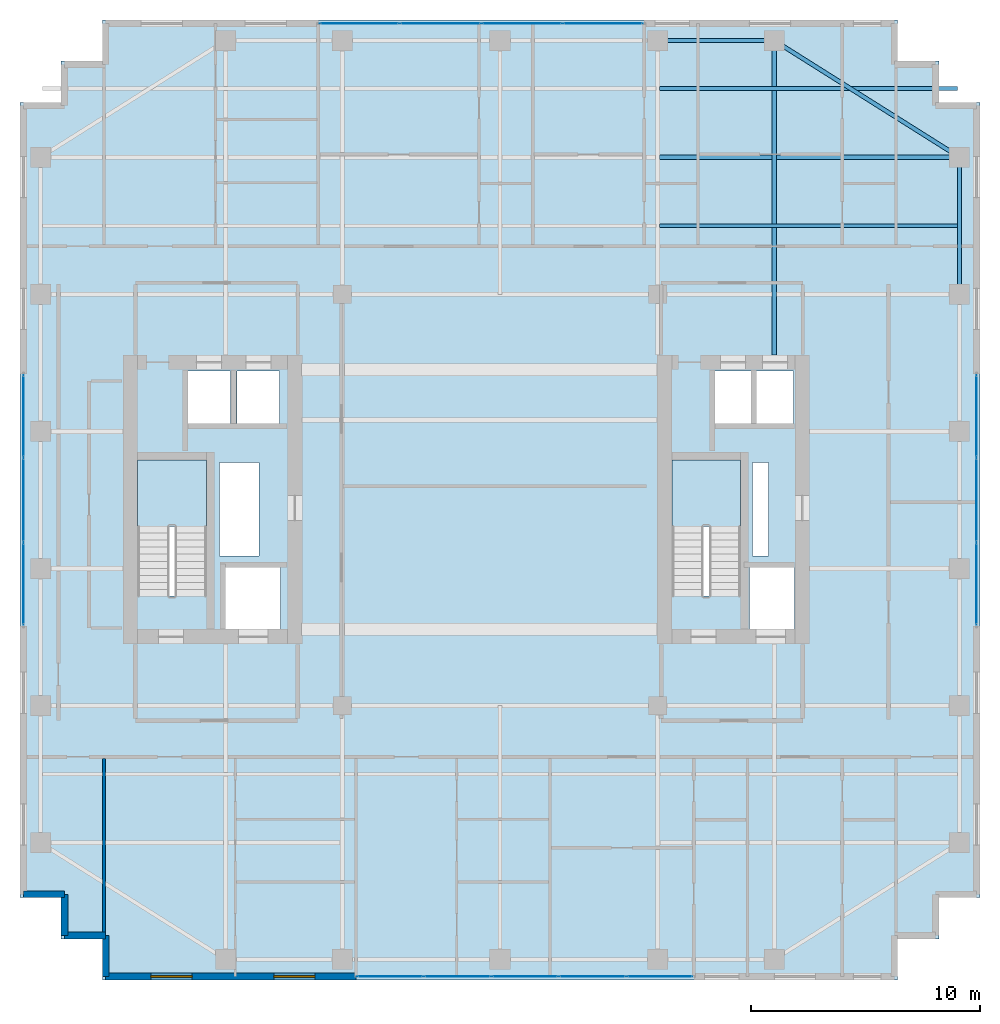
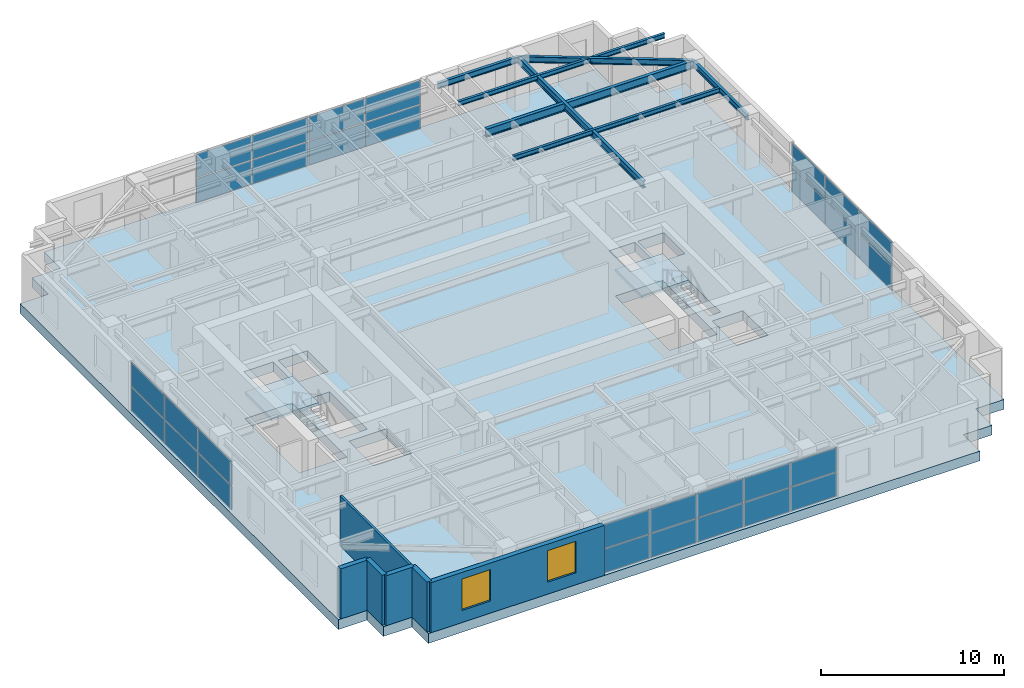
# One storey, part 18 of 24: 30 plates, 7 beams, 6 walls, 3 slabs, 2 windows, 2 openings, 6 elements without a shape of their own.
"""IFC4 building model written with IfcOpenShell, lengths in metres."""

from ifc_helpers import new_model, si_unit, direction, frame, frame_2d, origin, origin_2d, place, context, subcontext, project, spatial, polyline, rectangle, i_section, outline, extrude, source, transform, mapped, material, layer, layer_set, material_profile, profile_set, type_object, element, fill, aggregate, save


model = new_model("IFC4")

# Units and contexts
model_context = context("Model", 3, precision=1e-05, world=origin(), true_north=direction((0.0, 1.0)))
body_context = subcontext(model_context, "Body", "Model", "MODEL_VIEW")
ifc_project = project(units=[si_unit("LENGTHUNIT", "METRE"), si_unit("AREAUNIT", "SQUARE_METRE"), si_unit("VOLUMEUNIT", "CUBIC_METRE"), si_unit("PLANEANGLEUNIT", "RADIAN"), si_unit("MASSUNIT", "GRAM", prefix="KILO")], contexts=[model_context])

# Site, building, storey
site_placement = place(None, origin())
site = spatial("IfcSite", under=ifc_project, at=site_placement, CompositionType="ELEMENT")
building_placement = place(site_placement, origin())
building = spatial("IfcBuilding", under=site, at=building_placement, Name="Khoralis Quay Care Tower", CompositionType="ELEMENT")
storey_placement = place(building_placement, frame((0.0, 0.0, 155.699951171875)))
storey = spatial("IfcBuildingStorey", under=building, at=storey_placement, Name="L40", CompositionType="ELEMENT", Elevation=155.699951171875)

# Beams
ifc_material_1 = material(Name="Steel S355", Category="steel")
ifc_material_profile_1 = material_profile(ifc_material_1, i_section(OverallWidth=0.179931640625, OverallDepth=0.39990234375, WebThickness=0.008544921875, FlangeThickness=0.013427734375, FilletRadius=0.02099609375, at=origin_2d()), Name="Steel S355")
ifc_profile_set_1 = profile_set([ifc_material_profile_1], Name="Steel S355")
beam_type_1 = type_object("IfcBeamType", Name="BM-IPE400", PredefinedType="SPANDREL", material=ifc_profile_set_1)
shared_shape_1 = source(origin(), body_context, "Body", "SweptSolid", [
    extrude(i_section(OverallWidth=0.179931640625, OverallDepth=0.39990234375, WebThickness=0.008544921875, FlangeThickness=0.013427734375, FilletRadius=0.02099609375, at=origin_2d()), origin(), (0.0, 0.0, 1.0), 6.0),
])
beam_1_placement = place(storey_placement, frame((44.10009765625, 30.0, 3.14013671875), z_axis=(0.0, 1.0, 0.0), x_axis=(-1.0, 0.0, 0.0)))
element("IfcBeam", 1, at=beam_1_placement, inside=storey, type_object=beam_type_1, Name="BM-TSP-L40-18", PredefinedType="SPANDREL", context=body_context, shape_type="MappedRepresentation", body=[
    mapped(shared_shape_1, transform((0.0, 0.0, 0.0), scale=1.0)),
])
shared_shape_2 = source(origin(), body_context, "Body", "SweptSolid", [
    extrude(i_section(OverallWidth=0.179931640625, OverallDepth=0.39990234375, WebThickness=0.008544921875, FlangeThickness=0.013427734375, FilletRadius=0.02099609375, at=origin_2d()), origin(), (0.0, 0.0, 1.0), 5.10009765625),
])
beam_2_placement = place(storey_placement, frame((30.89990234375, 41.10009765625, 3.14013671875), z_axis=(1.0, 0.0, 0.0), x_axis=(0.0, 1.0, 0.0)))
element("IfcBeam", 2, at=beam_2_placement, inside=storey, type_object=beam_type_1, Name="BM-TSP-L40-08", PredefinedType="SPANDREL", context=body_context, shape_type="MappedRepresentation", body=[
    mapped(shared_shape_2, transform((0.0, 0.0, 0.0), scale=1.0)),
])
shared_shape_3 = source(origin(), body_context, "Body", "SweptSolid", [
    extrude(i_section(OverallWidth=0.179931640625, OverallDepth=0.39990234375, WebThickness=0.008544921875, FlangeThickness=0.013427734375, FilletRadius=0.02099609375, at=origin_2d()), origin(), (0.0, 0.0, 1.0), 9.572021484375),
])
beam_3_placement = place(storey_placement, frame((36.0, 41.10009765625, 3.14013671875), z_axis=(0.846231136359, -0.532815975602, 0.0), x_axis=(0.532815975602, 0.846231136359, 0.0)))
element("IfcBeam", 3, at=beam_3_placement, inside=storey, type_object=beam_type_1, Name="BM-TCR-L40-22", PredefinedType="SPANDREL", context=body_context, shape_type="MappedRepresentation", body=[
    mapped(shared_shape_3, transform((0.0, 0.0, 0.0), scale=1.0)),
])
ifc_material_profile_2 = material_profile(ifc_material_1, i_section(OverallWidth=0.208984375, OverallDepth=0.532958984375, WebThickness=0.01025390625, FlangeThickness=0.015625, FilletRadius=0.01611328125, at=origin_2d()), Name="Steel S355")
ifc_profile_set_2 = profile_set([ifc_material_profile_2], Name="Steel S355")
beam_type_2 = type_object("IfcBeamType", Name="BM-W530X92", PredefinedType="BEAM", material=ifc_profile_set_2)
shared_shape_4 = source(origin(), body_context, "Body", "SweptSolid", [
    extrude(i_section(OverallWidth=0.208984375, OverallDepth=0.532958984375, WebThickness=0.01025390625, FlangeThickness=0.015625, FilletRadius=0.01611328125, at=origin_2d()), origin(), (0.0, 0.0, 1.0), 13.1162109375),
])
beam_4_placement = place(storey_placement, frame((30.98388671875, 36.0, 3.073486328125), z_axis=(1.0, 0.0, 0.0), x_axis=(0.0, 1.0, 0.0)))
element("IfcBeam", 4, at=beam_4_placement, inside=storey, type_object=beam_type_2, Name="BM-TGXE-L40-360", PredefinedType="BEAM", context=body_context, shape_type="MappedRepresentation", body=[
    mapped(shared_shape_4, transform((0.0, 0.0, 0.0), scale=1.0)),
])
ifc_material_profile_3 = material_profile(ifc_material_1, i_section(OverallWidth=0.19189453125, OverallDepth=0.462890625, WebThickness=0.010498046875, FlangeThickness=0.017578125, FilletRadius=0.014892578125, at=origin_2d()), Name="Steel S355")
ifc_profile_set_3 = profile_set([ifc_material_profile_3], Name="Steel S355")
beam_type_3 = type_object("IfcBeamType", Name="BM-W460X89", PredefinedType="BEAM", material=ifc_profile_set_3)
shared_shape_5 = source(origin(), body_context, "Body", "SweptSolid", [
    extrude(i_section(OverallWidth=0.19189453125, OverallDepth=0.462890625, WebThickness=0.010498046875, FlangeThickness=0.017578125, FilletRadius=0.014892578125, at=origin_2d()), origin(), (0.0, 0.0, 1.0), 13.752197265625),
])
beam_5_placement = place(storey_placement, frame((36.0, 27.347900390625, 3.108642578125), z_axis=(0.0, 1.0, 0.0), x_axis=(-1.0, 0.0, 0.0)))
element("IfcBeam", 5, at=beam_5_placement, inside=storey, type_object=beam_type_3, Name="BM-TGYN-L40-360", PredefinedType="BEAM", context=body_context, shape_type="MappedRepresentation", body=[
    mapped(shared_shape_5, transform((0.0, 0.0, 0.0), scale=1.0)),
])
ifc_material_profile_4 = material_profile(ifc_material_1, i_section(OverallWidth=0.1650390625, OverallDepth=0.31005859375, WebThickness=0.005859375, FlangeThickness=0.009765625, FilletRadius=0.011962890625, at=origin_2d()), Name="Steel S355")
ifc_profile_set_4 = profile_set([ifc_material_profile_4], Name="Steel S355")
beam_type_4 = type_object("IfcBeamType", Name="BM-W310X39", PredefinedType="JOIST", material=ifc_profile_set_4)
shared_shape_6 = source(origin(), body_context, "Body", "SweptSolid", [
    extrude(i_section(OverallWidth=0.1650390625, OverallDepth=0.31005859375, WebThickness=0.005859375, FlangeThickness=0.009765625, FilletRadius=0.011962890625, at=origin_2d()), origin(), (0.0, 0.0, 1.0), 13.0400390625),
])
for number, where, z_axis, x_axis, name in (
    (6, (30.98388671875, 33.0, 3.18505859375), (1.0, 0.0, 0.0), (0.0, 1.0, 0.0), "BM-TJS-L40-27"),
    (7, (30.98388671875, 39.0, 3.18505859375), (1.0, 0.0, 0.0), (0.0, 1.0, 0.0), "BM-TJS-L40-30"),
):
    element("IfcBeam", number, at=place(storey_placement, frame(where, z_axis=z_axis, x_axis=x_axis)), inside=storey, type_object=beam_type_4, Name=name, PredefinedType="JOIST", context=body_context, shape_type="MappedRepresentation", body=[
        mapped(shared_shape_6, transform((0.0, 0.0, 0.0), scale=1.0)),
    ])

# Stair, slab
ifc_material_2 = material(Name="Precast concrete C45/55", Category="concrete")
stair_type = type_object("IfcStairType", Name="ST-TWR-DOGLEG-1400", PredefinedType="HALF_TURN_STAIR", material=ifc_material_2)
stair_1_placement = place(storey_placement, origin())
stair_1 = element("IfcStair", 8, at=stair_1_placement, inside=storey, type_object=stair_type, Name="L40 West Core Exit Stair ST-T1", PredefinedType="HALF_TURN_STAIR")
ifc_layer_1 = layer(ifc_material_2, 0.199951171875)
ifc_layer_set_1 = layer_set([ifc_layer_1], Name="Precast concrete C45/55")
slab_type_1 = type_object("IfcSlabType", Name="SLB-LANDING-200", PredefinedType="LANDING", material=ifc_layer_set_1)
slab_1_placement = place(storey_placement, frame((0.0, 0.0, 1.60009765625)))
slab_1 = element("IfcSlab", 9, at=slab_1_placement, type_object=slab_type_1, Name="ST-T1 landing 1", PredefinedType="LANDING", context=body_context, shape_type="SweptSolid", body=[
    extrude(outline(polyline([(11.14990234375, 19.840087890625), (11.14990234375, 22.75), (8.14990234375, 22.75), (8.14990234375, 19.840087890625), (11.14990234375, 19.840087890625)])), origin(), (0.0, 0.0, 1.0), 0.199951171875),
])
aggregate(stair_1, [slab_1])

stair_2_placement = place(storey_placement, origin())
stair_2 = element("IfcStair", 10, at=stair_2_placement, inside=storey, type_object=stair_type, Name="L40 East Core Exit Stair ST-T2", PredefinedType="HALF_TURN_STAIR")
slab_2_placement = place(storey_placement, frame((0.0, 0.0, 1.60009765625)))
slab_2 = element("IfcSlab", 11, at=slab_2_placement, type_object=slab_type_1, Name="ST-T2 landing 1", PredefinedType="LANDING", context=body_context, shape_type="SweptSolid", body=[
    extrude(outline(polyline([(34.52001953125, 19.840087890625), (34.52001953125, 22.75), (31.52001953125, 22.75), (31.52001953125, 19.840087890625), (34.52001953125, 19.840087890625)])), origin(), (0.0, 0.0, 1.0), 0.199951171875),
])
aggregate(stair_2, [slab_2])

# Slab
ifc_material_3 = material(Name="Concrete C65/80", Category="concrete")
ifc_layer_2 = layer(ifc_material_3, 0.64990234375)
ifc_layer_set_2 = layer_set([ifc_layer_2], Name="Concrete C65/80")
slab_type_2 = type_object("IfcSlabType", Name="SLB-TRANS-650", PredefinedType="FLOOR", material=ifc_layer_set_2)
slab_3_placement = place(storey_placement, frame((0.0, 0.0, -0.64990234375)))
element("IfcSlab", 12, at=slab_3_placement, inside=storey, type_object=slab_type_2, Name="Tower Floor Slab L40", PredefinedType="FLOOR", context=body_context, shape_type="SweptSolid", body=[
    extrude(outline(polyline([(6.60009765625, 0.0), (41.39990234375, 0.0), (41.39990234375, 1.800048828125), (43.199951171875, 1.800048828125), (43.199951171875, 3.60009765625), (45.0, 3.60009765625), (45.0, 38.39990234375), (43.199951171875, 38.39990234375), (43.199951171875, 40.199951171875), (41.39990234375, 40.199951171875), (41.39990234375, 42.0), (6.60009765625, 42.0), (6.60009765625, 40.199951171875), (4.800048828125, 40.199951171875), (4.800048828125, 38.39990234375), (3.0, 38.39990234375), (3.0, 3.60009765625), (4.800048828125, 3.60009765625), (4.800048828125, 1.800048828125), (6.60009765625, 1.800048828125), (6.60009765625, 0.0)]), holes=[polyline([(11.14990234375, 16.800048828125), (11.14990234375, 22.75), (8.14990234375, 22.75), (8.14990234375, 16.800048828125), (11.14990234375, 16.800048828125)]), polyline([(34.52001953125, 16.800048828125), (34.52001953125, 22.75), (31.52001953125, 22.75), (31.52001953125, 16.800048828125), (34.52001953125, 16.800048828125)]), polyline([(12.0, 15.35009765625), (14.39990234375, 15.35009765625), (14.39990234375, 18.050048828125), (12.0, 18.050048828125), (12.0, 15.35009765625)]), polyline([(34.919921875, 15.35009765625), (36.8798828125, 15.35009765625), (36.8798828125, 18.050048828125), (34.919921875, 18.050048828125), (34.919921875, 15.35009765625)]), polyline([(10.35009765625, 24.35009765625), (12.199951171875, 24.35009765625), (12.199951171875, 26.64990234375), (10.35009765625, 26.64990234375), (10.35009765625, 24.35009765625)]), polyline([(33.3798828125, 24.35009765625), (35.030029296875, 24.35009765625), (35.030029296875, 26.64990234375), (33.3798828125, 26.64990234375), (33.3798828125, 24.35009765625)]), polyline([(12.5, 24.35009765625), (14.35009765625, 24.35009765625), (14.35009765625, 26.64990234375), (12.5, 26.64990234375), (12.5, 24.35009765625)]), polyline([(35.199951171875, 24.35009765625), (36.85009765625, 24.35009765625), (36.85009765625, 26.64990234375), (35.199951171875, 26.64990234375), (35.199951171875, 24.35009765625)]), polyline([(11.719970703125, 18.550048828125), (13.449951171875, 18.550048828125), (13.449951171875, 22.64990234375), (11.719970703125, 22.64990234375), (11.719970703125, 18.550048828125)]), polyline([(35.050048828125, 18.550048828125), (35.75, 18.550048828125), (35.75, 22.64990234375), (35.050048828125, 22.64990234375), (35.050048828125, 18.550048828125)])]), origin(), (0.0, 0.0, 1.0), 0.64990234375),
])

# Curtain wall, plates
ifc_material_4 = material(Name="Pale anodised aluminium", Category="aluminium")
ifc_layer_3 = layer(ifc_material_4, 0.159912109375)
ifc_layer_set_3 = layer_set([ifc_layer_3], Name="Pale anodised aluminium")
curtain_wall_type = type_object("IfcCurtainWallType", Name="CW-SYS-Z3", PredefinedType="NOTDEFINED", material=ifc_layer_set_3)
curtain_wall_1_placement = place(storey_placement, origin())
curtain_wall_1 = element("IfcCurtainWall", 13, at=curtain_wall_1_placement, inside=storey, type_object=curtain_wall_type, Name="L40 Unitised Curtain Wall CW-L40-P1-E0", PredefinedType="NOTDEFINED")
ifc_material_5 = material(Name="Low-E solar-control double glazing", Category="glass")
ifc_layer_4 = layer(ifc_material_5, 0.031982421875)
ifc_layer_set_4 = layer_set([ifc_layer_4], Name="Low-E solar-control double glazing")
plate_type = type_object("IfcPlateType", Name="PNL-VIS-32", PredefinedType="CURTAIN_PANEL", material=ifc_layer_set_4)
shared_shape_7 = source(origin(), body_context, "Body", "SweptSolid", [
    extrude(rectangle(XDim=2.865966796875, YDim=0.028076171875, at=origin_2d()), origin(), (0.0, 0.0, 1.0), 1.580078125),
])
plate_1_placement = place(storey_placement, frame((19.193115234375, 0.14990234375, 0.06005859375), z_axis=(0.0, 0.0, 1.0), x_axis=(1.0, 0.0, 0.0)))
plate_1 = element("IfcPlate", 14, at=plate_1_placement, type_object=plate_type, Name="CW3 panel 1.1", PredefinedType="CURTAIN_PANEL", context=body_context, shape_type="MappedRepresentation", body=[
    mapped(shared_shape_7, transform((0.0, 0.0, 0.0), scale=1.0)),
])
plate_2_placement = place(storey_placement, frame((19.193115234375, 0.14990234375, 1.699951171875), z_axis=(0.0, 0.0, 1.0), x_axis=(1.0, 0.0, 0.0)))
plate_2 = element("IfcPlate", 15, at=plate_2_placement, type_object=plate_type, Name="CW3 panel 1.2", PredefinedType="CURTAIN_PANEL", context=body_context, shape_type="MappedRepresentation", body=[
    mapped(shared_shape_7, transform((0.0, 0.0, 0.0), scale=1.0)),
])
plate_3_placement = place(storey_placement, frame((30.987060546875, 0.14990234375, 0.06005859375), z_axis=(0.0, 0.0, 1.0), x_axis=(1.0, 0.0, 0.0)))
plate_3 = element("IfcPlate", 16, at=plate_3_placement, type_object=plate_type, Name="CW3 panel 5.1", PredefinedType="CURTAIN_PANEL", context=body_context, shape_type="MappedRepresentation", body=[
    mapped(shared_shape_7, transform((0.0, 0.0, 0.0), scale=1.0)),
])
plate_4_placement = place(storey_placement, frame((30.987060546875, 0.14990234375, 1.699951171875), z_axis=(0.0, 0.0, 1.0), x_axis=(1.0, 0.0, 0.0)))
plate_4 = element("IfcPlate", 17, at=plate_4_placement, type_object=plate_type, Name="CW3 panel 5.2", PredefinedType="CURTAIN_PANEL", context=body_context, shape_type="MappedRepresentation", body=[
    mapped(shared_shape_7, transform((0.0, 0.0, 0.0), scale=1.0)),
])
shared_shape_8 = source(origin(), body_context, "Body", "SweptSolid", [
    extrude(rectangle(XDim=2.89599609375, YDim=0.028076171875, at=origin_2d()), origin(), (0.0, 0.0, 1.0), 1.580078125),
])
plate_5_placement = place(storey_placement, frame((22.134033203125, 0.14990234375, 0.06005859375), z_axis=(0.0, 0.0, 1.0), x_axis=(1.0, 0.0, 0.0)))
plate_5 = element("IfcPlate", 18, at=plate_5_placement, type_object=plate_type, Name="CW3 panel 2.1", PredefinedType="CURTAIN_PANEL", context=body_context, shape_type="MappedRepresentation", body=[
    mapped(shared_shape_8, transform((0.0, 0.0, 0.0), scale=1.0)),
])
plate_6_placement = place(storey_placement, frame((22.134033203125, 0.14990234375, 1.699951171875), z_axis=(0.0, 0.0, 1.0), x_axis=(1.0, 0.0, 0.0)))
plate_6 = element("IfcPlate", 19, at=plate_6_placement, type_object=plate_type, Name="CW3 panel 2.2", PredefinedType="CURTAIN_PANEL", context=body_context, shape_type="MappedRepresentation", body=[
    mapped(shared_shape_8, transform((0.0, 0.0, 0.0), scale=1.0)),
])
plate_7_placement = place(storey_placement, frame((25.090087890625, 0.14990234375, 0.06005859375), z_axis=(0.0, 0.0, 1.0), x_axis=(1.0, 0.0, 0.0)))
plate_7 = element("IfcPlate", 20, at=plate_7_placement, type_object=plate_type, Name="CW3 panel 3.1", PredefinedType="CURTAIN_PANEL", context=body_context, shape_type="MappedRepresentation", body=[
    mapped(shared_shape_8, transform((0.0, 0.0, 0.0), scale=1.0)),
])
plate_8_placement = place(storey_placement, frame((25.090087890625, 0.14990234375, 1.699951171875), z_axis=(0.0, 0.0, 1.0), x_axis=(1.0, 0.0, 0.0)))
plate_8 = element("IfcPlate", 21, at=plate_8_placement, type_object=plate_type, Name="CW3 panel 3.2", PredefinedType="CURTAIN_PANEL", context=body_context, shape_type="MappedRepresentation", body=[
    mapped(shared_shape_8, transform((0.0, 0.0, 0.0), scale=1.0)),
])
plate_9_placement = place(storey_placement, frame((28.0458984375, 0.14990234375, 0.06005859375), z_axis=(0.0, 0.0, 1.0), x_axis=(1.0, 0.0, 0.0)))
plate_9 = element("IfcPlate", 22, at=plate_9_placement, type_object=plate_type, Name="CW3 panel 4.1", PredefinedType="CURTAIN_PANEL", context=body_context, shape_type="MappedRepresentation", body=[
    mapped(shared_shape_8, transform((0.0, 0.0, 0.0), scale=1.0)),
])
plate_10_placement = place(storey_placement, frame((28.0458984375, 0.14990234375, 1.699951171875), z_axis=(0.0, 0.0, 1.0), x_axis=(1.0, 0.0, 0.0)))
plate_10 = element("IfcPlate", 23, at=plate_10_placement, type_object=plate_type, Name="CW3 panel 4.2", PredefinedType="CURTAIN_PANEL", context=body_context, shape_type="MappedRepresentation", body=[
    mapped(shared_shape_8, transform((0.0, 0.0, 0.0), scale=1.0)),
])
aggregate(curtain_wall_1, [plate_1, plate_2, plate_5, plate_6, plate_7, plate_8, plate_9, plate_10, plate_3, plate_4])

curtain_wall_2_placement = place(storey_placement, origin())
curtain_wall_2 = element("IfcCurtainWall", 24, at=curtain_wall_2_placement, inside=storey, type_object=curtain_wall_type, Name="L40 Unitised Curtain Wall CW-L40-P1-E5", PredefinedType="NOTDEFINED")
shared_shape_9 = source(origin(), body_context, "Body", "SweptSolid", [
    extrude(rectangle(XDim=3.590087890625, YDim=0.028076171875, at=origin_2d()), origin(), (0.0, 0.0, 1.0), 1.580078125),
])
plate_11_placement = place(storey_placement, frame((44.85009765625, 17.3349609375, 0.06005859375), z_axis=(0.0, 0.0, 1.0), x_axis=(0.0, 1.0, 0.0)))
plate_11 = element("IfcPlate", 25, at=plate_11_placement, type_object=plate_type, Name="CW3 panel 1.1", PredefinedType="CURTAIN_PANEL", context=body_context, shape_type="MappedRepresentation", body=[
    mapped(shared_shape_9, transform((0.0, 0.0, 0.0), scale=1.0)),
])
plate_12_placement = place(storey_placement, frame((44.85009765625, 17.3349609375, 1.699951171875), z_axis=(0.0, 0.0, 1.0), x_axis=(0.0, 1.0, 0.0)))
plate_12 = element("IfcPlate", 26, at=plate_12_placement, type_object=plate_type, Name="CW3 panel 1.2", PredefinedType="CURTAIN_PANEL", context=body_context, shape_type="MappedRepresentation", body=[
    mapped(shared_shape_9, transform((0.0, 0.0, 0.0), scale=1.0)),
])
plate_13_placement = place(storey_placement, frame((44.85009765625, 24.6650390625, 0.06005859375), z_axis=(0.0, 0.0, 1.0), x_axis=(0.0, 1.0, 0.0)))
plate_13 = element("IfcPlate", 27, at=plate_13_placement, type_object=plate_type, Name="CW3 panel 3.1", PredefinedType="CURTAIN_PANEL", context=body_context, shape_type="MappedRepresentation", body=[
    mapped(shared_shape_9, transform((0.0, 0.0, 0.0), scale=1.0)),
])
plate_14_placement = place(storey_placement, frame((44.85009765625, 24.6650390625, 1.699951171875), z_axis=(0.0, 0.0, 1.0), x_axis=(0.0, 1.0, 0.0)))
plate_14 = element("IfcPlate", 28, at=plate_14_placement, type_object=plate_type, Name="CW3 panel 3.2", PredefinedType="CURTAIN_PANEL", context=body_context, shape_type="MappedRepresentation", body=[
    mapped(shared_shape_9, transform((0.0, 0.0, 0.0), scale=1.0)),
])

curtain_wall_3_placement = place(storey_placement, origin())
curtain_wall_3 = element("IfcCurtainWall", 29, at=curtain_wall_3_placement, inside=storey, type_object=curtain_wall_type, Name="L40 Unitised Curtain Wall CW-L40-P1-E15", PredefinedType="NOTDEFINED")
plate_15_placement = place(storey_placement, frame((3.14990234375, 24.6650390625, 0.06005859375), z_axis=(0.0, 0.0, 1.0), x_axis=(0.0, -1.0, 0.0)))
plate_15 = element("IfcPlate", 30, at=plate_15_placement, type_object=plate_type, Name="CW3 panel 1.1", PredefinedType="CURTAIN_PANEL", context=body_context, shape_type="MappedRepresentation", body=[
    mapped(shared_shape_9, transform((0.0, 0.0, 0.0), scale=1.0)),
])
plate_16_placement = place(storey_placement, frame((3.14990234375, 24.6650390625, 1.699951171875), z_axis=(0.0, 0.0, 1.0), x_axis=(0.0, -1.0, 0.0)))
plate_16 = element("IfcPlate", 31, at=plate_16_placement, type_object=plate_type, Name="CW3 panel 1.2", PredefinedType="CURTAIN_PANEL", context=body_context, shape_type="MappedRepresentation", body=[
    mapped(shared_shape_9, transform((0.0, 0.0, 0.0), scale=1.0)),
])
plate_17_placement = place(storey_placement, frame((3.14990234375, 17.3349609375, 0.06005859375), z_axis=(0.0, 0.0, 1.0), x_axis=(0.0, -1.0, 0.0)))
plate_17 = element("IfcPlate", 32, at=plate_17_placement, type_object=plate_type, Name="CW3 panel 3.1", PredefinedType="CURTAIN_PANEL", context=body_context, shape_type="MappedRepresentation", body=[
    mapped(shared_shape_9, transform((0.0, 0.0, 0.0), scale=1.0)),
])
plate_18_placement = place(storey_placement, frame((3.14990234375, 17.3349609375, 1.699951171875), z_axis=(0.0, 0.0, 1.0), x_axis=(0.0, -1.0, 0.0)))
plate_18 = element("IfcPlate", 33, at=plate_18_placement, type_object=plate_type, Name="CW3 panel 3.2", PredefinedType="CURTAIN_PANEL", context=body_context, shape_type="MappedRepresentation", body=[
    mapped(shared_shape_9, transform((0.0, 0.0, 0.0), scale=1.0)),
])

# Plate
shared_shape_10 = source(origin(), body_context, "Body", "SweptSolid", [
    extrude(rectangle(XDim=3.6201171875, YDim=0.028076171875, at=origin_2d()), origin(), (0.0, 0.0, 1.0), 1.580078125),
])
plate_19_placement = place(storey_placement, frame((44.85009765625, 21.0, 0.06005859375), z_axis=(0.0, 0.0, 1.0), x_axis=(0.0, 1.0, 0.0)))
plate_19 = element("IfcPlate", 34, at=plate_19_placement, type_object=plate_type, Name="CW3 panel 2.1", PredefinedType="CURTAIN_PANEL", context=body_context, shape_type="MappedRepresentation", body=[
    mapped(shared_shape_10, transform((0.0, 0.0, 0.0), scale=1.0)),
])

plate_20_placement = place(storey_placement, frame((44.85009765625, 21.0, 1.699951171875), z_axis=(0.0, 0.0, 1.0), x_axis=(0.0, 1.0, 0.0)))
plate_20 = element("IfcPlate", 35, at=plate_20_placement, type_object=plate_type, Name="CW3 panel 2.2", PredefinedType="CURTAIN_PANEL", context=body_context, shape_type="MappedRepresentation", body=[
    mapped(shared_shape_10, transform((0.0, 0.0, 0.0), scale=1.0)),
])

aggregate(curtain_wall_2, [plate_11, plate_12, plate_19, plate_20, plate_13, plate_14])

plate_21_placement = place(storey_placement, frame((3.14990234375, 21.0, 0.06005859375), z_axis=(0.0, 0.0, 1.0), x_axis=(0.0, -1.0, 0.0)))
plate_21 = element("IfcPlate", 36, at=plate_21_placement, type_object=plate_type, Name="CW3 panel 2.1", PredefinedType="CURTAIN_PANEL", context=body_context, shape_type="MappedRepresentation", body=[
    mapped(shared_shape_10, transform((0.0, 0.0, 0.0), scale=1.0)),
])

plate_22_placement = place(storey_placement, frame((3.14990234375, 21.0, 1.699951171875), z_axis=(0.0, 0.0, 1.0), x_axis=(0.0, -1.0, 0.0)))
plate_22 = element("IfcPlate", 37, at=plate_22_placement, type_object=plate_type, Name="CW3 panel 2.2", PredefinedType="CURTAIN_PANEL", context=body_context, shape_type="MappedRepresentation", body=[
    mapped(shared_shape_10, transform((0.0, 0.0, 0.0), scale=1.0)),
])

aggregate(curtain_wall_3, [plate_15, plate_16, plate_21, plate_22, plate_17, plate_18])

# Curtain wall, plates
curtain_wall_4_placement = place(storey_placement, origin())
curtain_wall_4 = element("IfcCurtainWall", 38, at=curtain_wall_4_placement, inside=storey, type_object=curtain_wall_type, Name="L40 Unitised Curtain Wall CW-L40-P1-E10", PredefinedType="NOTDEFINED")
shared_shape_11 = source(origin(), body_context, "Body", "SweptSolid", [
    extrude(rectangle(XDim=3.47509765625, YDim=0.028076171875, at=origin_2d()), origin(), (0.0, 0.0, 1.0), 1.580078125),
])
plate_23_placement = place(storey_placement, frame((28.512451171875, 41.85009765625, 0.06005859375), z_axis=(0.0, 0.0, 1.0), x_axis=(-1.0, 0.0, 0.0)))
plate_23 = element("IfcPlate", 39, at=plate_23_placement, type_object=plate_type, Name="CW3 panel 1.1", PredefinedType="CURTAIN_PANEL", context=body_context, shape_type="MappedRepresentation", body=[
    mapped(shared_shape_11, transform((0.0, 0.0, 0.0), scale=1.0)),
])
plate_24_placement = place(storey_placement, frame((28.512451171875, 41.85009765625, 1.699951171875), z_axis=(0.0, 0.0, 1.0), x_axis=(-1.0, 0.0, 0.0)))
plate_24 = element("IfcPlate", 40, at=plate_24_placement, type_object=plate_type, Name="CW3 panel 1.2", PredefinedType="CURTAIN_PANEL", context=body_context, shape_type="MappedRepresentation", body=[
    mapped(shared_shape_11, transform((0.0, 0.0, 0.0), scale=1.0)),
])
plate_25_placement = place(storey_placement, frame((17.847412109375, 41.85009765625, 0.06005859375), z_axis=(0.0, 0.0, 1.0), x_axis=(-1.0, 0.0, 0.0)))
plate_25 = element("IfcPlate", 41, at=plate_25_placement, type_object=plate_type, Name="CW3 panel 4.1", PredefinedType="CURTAIN_PANEL", context=body_context, shape_type="MappedRepresentation", body=[
    mapped(shared_shape_11, transform((0.0, 0.0, 0.0), scale=1.0)),
])
plate_26_placement = place(storey_placement, frame((17.847412109375, 41.85009765625, 1.699951171875), z_axis=(0.0, 0.0, 1.0), x_axis=(-1.0, 0.0, 0.0)))
plate_26 = element("IfcPlate", 42, at=plate_26_placement, type_object=plate_type, Name="CW3 panel 4.2", PredefinedType="CURTAIN_PANEL", context=body_context, shape_type="MappedRepresentation", body=[
    mapped(shared_shape_11, transform((0.0, 0.0, 0.0), scale=1.0)),
])
shared_shape_12 = source(origin(), body_context, "Body", "SweptSolid", [
    extrude(rectangle(XDim=3.5048828125, YDim=0.028076171875, at=origin_2d()), origin(), (0.0, 0.0, 1.0), 1.580078125),
])
plate_27_placement = place(storey_placement, frame((24.96240234375, 41.85009765625, 0.06005859375), z_axis=(0.0, 0.0, 1.0), x_axis=(-1.0, 0.0, 0.0)))
plate_27 = element("IfcPlate", 43, at=plate_27_placement, type_object=plate_type, Name="CW3 panel 2.1", PredefinedType="CURTAIN_PANEL", context=body_context, shape_type="MappedRepresentation", body=[
    mapped(shared_shape_12, transform((0.0, 0.0, 0.0), scale=1.0)),
])
plate_28_placement = place(storey_placement, frame((24.96240234375, 41.85009765625, 1.699951171875), z_axis=(0.0, 0.0, 1.0), x_axis=(-1.0, 0.0, 0.0)))
plate_28 = element("IfcPlate", 44, at=plate_28_placement, type_object=plate_type, Name="CW3 panel 2.2", PredefinedType="CURTAIN_PANEL", context=body_context, shape_type="MappedRepresentation", body=[
    mapped(shared_shape_12, transform((0.0, 0.0, 0.0), scale=1.0)),
])
plate_29_placement = place(storey_placement, frame((21.3974609375, 41.85009765625, 0.06005859375), z_axis=(0.0, 0.0, 1.0), x_axis=(-1.0, 0.0, 0.0)))
plate_29 = element("IfcPlate", 45, at=plate_29_placement, type_object=plate_type, Name="CW3 panel 3.1", PredefinedType="CURTAIN_PANEL", context=body_context, shape_type="MappedRepresentation", body=[
    mapped(shared_shape_12, transform((0.0, 0.0, 0.0), scale=1.0)),
])
plate_30_placement = place(storey_placement, frame((21.3974609375, 41.85009765625, 1.699951171875), z_axis=(0.0, 0.0, 1.0), x_axis=(-1.0, 0.0, 0.0)))
plate_30 = element("IfcPlate", 46, at=plate_30_placement, type_object=plate_type, Name="CW3 panel 3.2", PredefinedType="CURTAIN_PANEL", context=body_context, shape_type="MappedRepresentation", body=[
    mapped(shared_shape_12, transform((0.0, 0.0, 0.0), scale=1.0)),
])
aggregate(curtain_wall_4, [plate_23, plate_24, plate_27, plate_28, plate_29, plate_30, plate_25, plate_26])

# Wall, openings, windows
ifc_layer_5 = layer(ifc_material_2, 0.300048828125)
ifc_layer_set_5 = layer_set([ifc_layer_5], Name="Precast concrete C45/55")
wall_type_1 = type_object("IfcWallType", Name="WL-EXT-REF-300", PredefinedType="SOLIDWALL", material=ifc_layer_set_5)
wall_1_placement = place(storey_placement, frame((6.75, 0.14990234375, 0.0), z_axis=(0.0, 0.0, 1.0), x_axis=(1.0, 0.0, 0.0)))
wall_1 = element("IfcWall", 47, at=wall_1_placement, inside=storey, type_object=wall_type_1, Name="L40 External Facade Wall WL-EXT-L40-P1-E0A", PredefinedType="SOLIDWALL", context=body_context, shape_type="SweptSolid", body=[
    extrude(rectangle(XDim=10.949951171875, YDim=0.300048828125, at=frame_2d((5.47509765625, 0.0))), origin(), (0.0, 0.0, 1.0), 3.340087890625),
])
opening_1_placement = place(wall_1_placement, frame((1.97998046875, 0.0, 0.800048828125)))
opening_1 = element("IfcOpeningElement", 48, at=opening_1_placement, cuts=wall_1, Name="Opening W2", PredefinedType="OPENING", context=body_context, shape_type="SweptSolid", body=[
    extrude(rectangle(XDim=1.800048828125, YDim=2.10009765625, at=frame_2d((0.89990234375, 1.050048828125))), frame((0.0, 0.16015625, 0.0), z_axis=(0.0, -1.0, 0.0), x_axis=(1.0, 0.0, 0.0)), (0.0, 0.0, 1.0), 0.320068359375),
])
opening_2_placement = place(wall_1_placement, frame((7.35498046875, 0.0, 0.800048828125)))
opening_2 = element("IfcOpeningElement", 49, at=opening_2_placement, cuts=wall_1, Name="Opening W2", PredefinedType="OPENING", context=body_context, shape_type="SweptSolid", body=[
    extrude(rectangle(XDim=1.800048828125, YDim=2.10009765625, at=frame_2d((0.89990234375, 1.050048828125))), frame((0.0, 0.16015625, 0.0), z_axis=(0.0, -1.0, 0.0), x_axis=(1.0, 0.0, 0.0)), (0.0, 0.0, 1.0), 0.320068359375),
])
window_type = type_object("IfcWindowType", Name="WN-POD-1800X2100", PartitioningType="SINGLE_PANEL", PredefinedType="WINDOW", material=ifc_material_5)
shared_shape_13 = source(origin(), body_context, "Body", "SweptSolid", [
    extrude(rectangle(XDim=1.800048828125, YDim=2.10009765625, at=frame_2d((0.89990234375, 1.050048828125))), frame((0.0, 0.030029296875, 0.0), z_axis=(0.0, -1.0, 0.0), x_axis=(1.0, 0.0, 0.0)), (0.0, 0.0, 1.0), 0.06005859375),
])
window_1_placement = place(opening_1_placement, origin())
window_1 = element("IfcWindow", 50, at=window_1_placement, inside=storey, type_object=window_type, Name="WN-L40-P1-E0A Facade Window 01", OverallHeight=2.10009765625, OverallWidth=1.800048828125, PartitioningType="SINGLE_PANEL", PredefinedType="WINDOW", context=body_context, shape_type="MappedRepresentation", body=[
    mapped(shared_shape_13, transform((0.0, 0.0, 0.0), scale=1.0)),
])
fill(opening_1, window_1)
window_2_placement = place(opening_2_placement, origin())
window_2 = element("IfcWindow", 51, at=window_2_placement, inside=storey, type_object=window_type, Name="WN-L40-P1-E0A Facade Window 02", OverallHeight=2.10009765625, OverallWidth=1.800048828125, PartitioningType="SINGLE_PANEL", PredefinedType="WINDOW", context=body_context, shape_type="MappedRepresentation", body=[
    mapped(shared_shape_13, transform((0.0, 0.0, 0.0), scale=1.0)),
])
fill(opening_2, window_2)

# Walls
for number, where, z_axis, x_axis, name in (
    (52, (3.14990234375, 3.75, 0.0), (0.0, 0.0, 1.0), (1.0, 0.0, 0.0), "L40 External Facade Wall WL-EXT-L40-P1-C16"),
    (53, (4.949951171875, 3.75, 0.0), (0.0, 0.0, 1.0), (0.0, -1.0, 0.0), "L40 External Facade Wall WL-EXT-L40-P1-C17"),
    (54, (4.949951171875, 1.949951171875, 0.0), (0.0, 0.0, 1.0), (1.0, 0.0, 0.0), "L40 External Facade Wall WL-EXT-L40-P1-C18"),
    (55, (6.75, 1.949951171875, 0.0), (0.0, 0.0, 1.0), (0.0, -1.0, 0.0), "L40 External Facade Wall WL-EXT-L40-P1-C19"),
):
    element("IfcWall", number, at=place(storey_placement, frame(where, z_axis=z_axis, x_axis=x_axis)), inside=storey, type_object=wall_type_1, Name=name, PredefinedType="SOLIDWALL", context=body_context, shape_type="SweptSolid", body=[
        extrude(rectangle(XDim=1.800048828125, YDim=0.300048828125, at=frame_2d((0.89990234375, 0.0))), origin(), (0.0, 0.0, 1.0), 3.340087890625),
    ])
ifc_material_6 = material(Name="Gypsum plasterboard on acoustic metal stud")
ifc_layer_6 = layer(ifc_material_6, 0.139892578125)
ifc_layer_set_6 = layer_set([ifc_layer_6], Name="Gypsum plasterboard on acoustic metal stud")
wall_type_2 = type_object("IfcWallType", Name="WL-UNIT-140", PredefinedType="PARTITIONING", material=ifc_layer_set_6)
wall_2_placement = place(storey_placement, frame((6.679931640625, 1.945068359375, 0.0), z_axis=(0.0, 0.0, 1.0), x_axis=(0.0, 1.0, 0.0)))
element("IfcWall", 56, at=wall_2_placement, inside=storey, type_object=wall_type_2, Name="L40 SB Demising Wall 0", PredefinedType="PARTITIONING", context=body_context, shape_type="SweptSolid", body=[
    extrude(rectangle(XDim=7.737548828125, YDim=0.139892578125, at=frame_2d((3.86865234375, 0.0))), origin(), (0.0, 0.0, 1.0), 3.340087890625),
])

save(model, "model.ifc")
